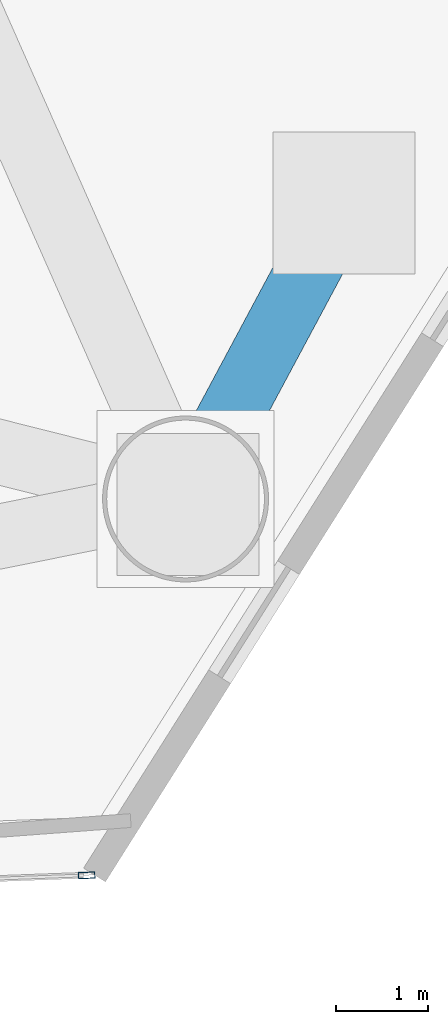
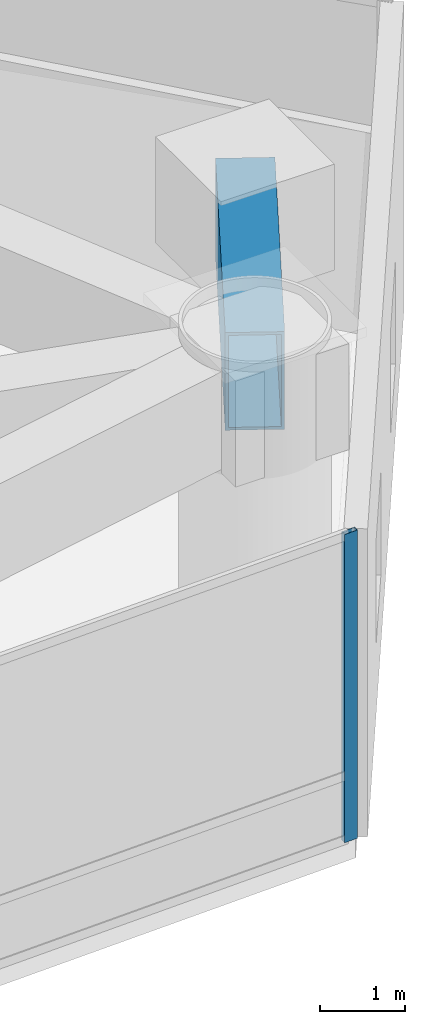
# One storey, part 12 of 22: 1 beam, 1 member, 1 element without a shape of its own.
"""IFC4 building model written with IfcOpenShell, lengths in metres."""

from ifc_helpers import new_model, si_unit, direction, frame, origin, origin_2d, place, context, subcontext, project, spatial, hollow_rectangle, extrude, material, layer, layer_set, material_profile, profile_set, type_object, element, aggregate, save


model = new_model("IFC4")

# Units and contexts
model_context = context("Model", 3, precision=1e-05, world=origin(), true_north=direction((0.0, 1.0)))
body_context = subcontext(model_context, "Body", "Model", "MODEL_VIEW")
ifc_project = project(units=[si_unit("LENGTHUNIT", "METRE"), si_unit("AREAUNIT", "SQUARE_METRE"), si_unit("VOLUMEUNIT", "CUBIC_METRE"), si_unit("PLANEANGLEUNIT", "RADIAN"), si_unit("MASSUNIT", "GRAM", prefix="KILO")], contexts=[model_context])

# Site, building, storey
site_placement = place(None, origin())
site = spatial("IfcSite", under=ifc_project, at=site_placement, CompositionType="ELEMENT")
building_placement = place(site_placement, origin())
building = spatial("IfcBuilding", under=site, at=building_placement, Name="Qianvela Tower", CompositionType="ELEMENT")
storey_placement = place(building_placement, frame((0.0, 0.0, 47.89990234375)))
storey = spatial("IfcBuildingStorey", under=building, at=storey_placement, Name="L11", CompositionType="ELEMENT", Elevation=47.89990234375)

# Beam
ifc_material_1 = material(Name="Steel Q420GJC", Category="steel")
ifc_material_profile_1 = material_profile(ifc_material_1, hollow_rectangle(XDim=0.699951171875, YDim=1.39990234375, WallThickness=0.0400390625, at=origin_2d()), Name="TG-BOX-1400x700x40")
ifc_profile_set_1 = profile_set([ifc_material_profile_1], Name="Steel Q420GJC")
beam_type = type_object("IfcBeamType", Name="BM-TG-STEP-1400", PredefinedType="BEAM", material=ifc_profile_set_1)
beam_placement = place(storey_placement, frame((54.511962890625, 17.31689453125, 3.718017578125), z_axis=(0.471984461923, 0.881606866865, 0.0), x_axis=(-0.881606866865, 0.471984461923, 0.0)))
element("IfcBeam", 1, at=beam_placement, inside=storey, type_object=beam_type, Name="L11 Zone-Step Transfer Girder 1", PredefinedType="BEAM", context=body_context, shape_type="SweptSolid", body=[
    extrude(hollow_rectangle(XDim=0.699951171875, YDim=1.39990234375, WallThickness=0.0400390625, at=origin_2d()), origin(), (0.0, 0.0, 1.0), 3.57421875),
])

# Curtain wall, member
ifc_material_2 = material(Name="Anodised Architectural Aluminium and Low-E Glass", Category="aluminium")
ifc_layer = layer(ifc_material_2, 0.179931640625)
ifc_layer_set = layer_set([ifc_layer], Name="Anodised Architectural Aluminium and Low-E Glass")
curtain_wall_type = type_object("IfcCurtainWallType", Name="CW-COLIV-Z12", PredefinedType="USERDEFINED", material=ifc_layer_set)
curtain_wall_placement = place(storey_placement, origin())
curtain_wall = element("IfcCurtainWall", 2, at=curtain_wall_placement, inside=storey, type_object=curtain_wall_type, Name="L11 CW-COLIV-Z12 Curtain Wall 06C", ObjectType="CURTAIN_WALL_SYSTEM", PredefinedType="USERDEFINED")
ifc_material_3 = material(Name="Anodised Architectural Aluminium 6063-T6", Category="aluminium")
ifc_material_profile_2 = material_profile(ifc_material_3, hollow_rectangle(XDim=0.070068359375, YDim=0.179931640625, WallThickness=0.0048828125, at=origin_2d()), Name="ALU-MULL-70x180")
ifc_profile_set_2 = profile_set([ifc_material_profile_2], Name="Anodised Architectural Aluminium 6063-T6")
member_type = type_object("IfcMemberType", Name="CW-COLIV-Z12-MULL", PredefinedType="MULLION", material=ifc_profile_set_2)
member_placement = place(storey_placement, frame((53.439697265625, 13.236083984375, 0.0), z_axis=(0.0, 0.0, 1.0), x_axis=(-0.036875043404, 0.999319884308, 0.0)))
member = element("IfcMember", 3, at=member_placement, type_object=member_type, Name="CW-3 mullion 2", PredefinedType="MULLION", context=body_context, shape_type="SweptSolid", body=[
    extrude(hollow_rectangle(XDim=0.070068359375, YDim=0.179931640625, WallThickness=0.0048828125, at=origin_2d()), origin(), (0.0, 0.0, 1.0), 4.420166015625),
])
aggregate(curtain_wall, [member])

save(model, "model.ifc")
